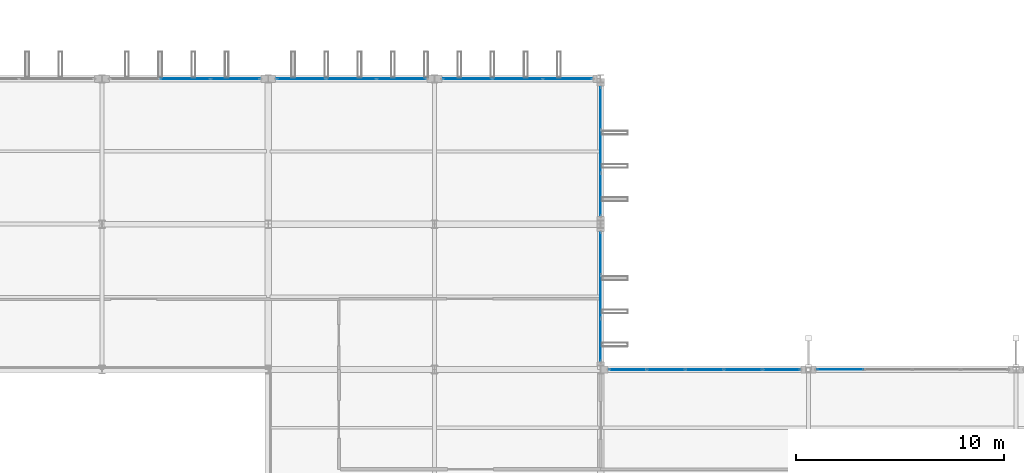
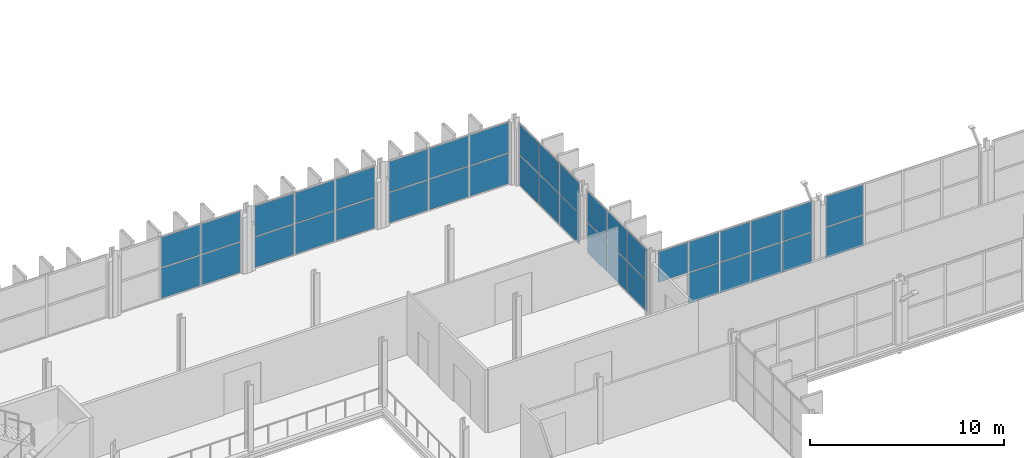
# One storey, part 70 of 101: 39 plates, 7 elements without a shape of their own.
"""IFC4 building model written with IfcOpenShell, lengths in metres."""

from ifc_helpers import new_model, si_unit, direction, frame, origin, origin_2d, place, context, subcontext, project, spatial, rectangle, extrude, material, layer, layer_set, type_object, element, aggregate, save


model = new_model("IFC4")

# Units and contexts
model_context = context("Model", 3, precision=1e-05, world=origin(), true_north=direction((0.0, 1.0)))
body_context = subcontext(model_context, "Body", "Model", "MODEL_VIEW")
ifc_project = project(units=[si_unit("LENGTHUNIT", "METRE"), si_unit("AREAUNIT", "SQUARE_METRE"), si_unit("VOLUMEUNIT", "CUBIC_METRE"), si_unit("PLANEANGLEUNIT", "RADIAN"), si_unit("MASSUNIT", "GRAM", prefix="KILO")], contexts=[model_context])

# Site, building, storey
site_placement = place(None, origin())
site = spatial("IfcSite", under=ifc_project, at=site_placement, CompositionType="ELEMENT")
building_placement = place(site_placement, origin())
building = spatial("IfcBuilding", under=site, at=building_placement, Name="Vekula Escarpment Museum", CompositionType="ELEMENT")
storey_placement = place(building_placement, frame((0.0, 0.0, 18.0)))
storey = spatial("IfcBuildingStorey", under=building, at=storey_placement, Name="L04", CompositionType="ELEMENT", Elevation=18.0)

# Curtain wall, plates
ifc_material_1 = material(Name="Aluminium thermally broken framing", Category="aluminium")
ifc_layer_1 = layer(ifc_material_1, 0.159912109375)
ifc_layer_set_1 = layer_set([ifc_layer_1], Name="Aluminium thermally broken framing")
curtain_wall_type_1 = type_object("IfcCurtainWallType", Name="CW-SYS-02", PredefinedType="NOTDEFINED", material=ifc_layer_set_1)
curtain_wall_1_placement = place(storey_placement, origin())
curtain_wall_1 = element("IfcCurtainWall", 1, at=curtain_wall_1_placement, inside=storey, type_object=curtain_wall_type_1, Name="Curtain Wall CW-L04-152", PredefinedType="NOTDEFINED")
ifc_material_2 = material(Name="Double solar-control low-E glass", Category="glass")
ifc_layer_2 = layer(ifc_material_2, 0.028076171875)
ifc_layer_set_2 = layer_set([ifc_layer_2], Name="Double solar-control low-E glass")
plate_type_1 = type_object("IfcPlateType", Name="CW-PNL-28", PredefinedType="CURTAIN_PANEL", material=ifc_layer_set_2)
plate_1_placement = place(storey_placement, frame((126.0, 77.82177734375, 0.06005859375), z_axis=(0.0, 0.0, 1.0), x_axis=(0.0, 1.0, 0.0)))
plate_1 = element("IfcPlate", 2, at=plate_1_placement, type_object=plate_type_1, Name="CW-02 panel 1.1", PredefinedType="CURTAIN_PANEL", context=body_context, shape_type="SweptSolid", body=[
    extrude(rectangle(XDim=2.00341796875, YDim=0.028076171875, at=origin_2d()), origin(), (0.0, 0.0, 1.0), 1.89990234375),
])
plate_2_placement = place(storey_placement, frame((126.0, 77.82177734375, 2.02001953125), z_axis=(0.0, 0.0, 1.0), x_axis=(0.0, 1.0, 0.0)))
plate_2 = element("IfcPlate", 3, at=plate_2_placement, type_object=plate_type_1, Name="CW-02 panel 1.2", PredefinedType="CURTAIN_PANEL", context=body_context, shape_type="SweptSolid", body=[
    extrude(rectangle(XDim=2.00341796875, YDim=0.028076171875, at=origin_2d()), origin(), (0.0, 0.0, 1.0), 1.89990234375),
])
plate_3_placement = place(storey_placement, frame((126.0, 79.89990234375, 0.06005859375), z_axis=(0.0, 0.0, 1.0), x_axis=(0.0, 1.0, 0.0)))
plate_3 = element("IfcPlate", 4, at=plate_3_placement, type_object=plate_type_1, Name="CW-02 panel 2.1", PredefinedType="CURTAIN_PANEL", context=body_context, shape_type="SweptSolid", body=[
    extrude(rectangle(XDim=2.033447265625, YDim=0.028076171875, at=origin_2d()), origin(), (0.0, 0.0, 1.0), 1.89990234375),
])
plate_4_placement = place(storey_placement, frame((126.0, 79.89990234375, 2.02001953125), z_axis=(0.0, 0.0, 1.0), x_axis=(0.0, 1.0, 0.0)))
plate_4 = element("IfcPlate", 5, at=plate_4_placement, type_object=plate_type_1, Name="CW-02 panel 2.2", PredefinedType="CURTAIN_PANEL", context=body_context, shape_type="SweptSolid", body=[
    extrude(rectangle(XDim=2.033447265625, YDim=0.028076171875, at=origin_2d()), origin(), (0.0, 0.0, 1.0), 1.89990234375),
])
plate_5_placement = place(storey_placement, frame((126.0, 81.978271484375, 0.06005859375), z_axis=(0.0, 0.0, 1.0), x_axis=(0.0, 1.0, 0.0)))
plate_5 = element("IfcPlate", 6, at=plate_5_placement, type_object=plate_type_1, Name="CW-02 panel 3.1", PredefinedType="CURTAIN_PANEL", context=body_context, shape_type="SweptSolid", body=[
    extrude(rectangle(XDim=2.00341796875, YDim=0.028076171875, at=origin_2d()), origin(), (0.0, 0.0, 1.0), 1.89990234375),
])
plate_6_placement = place(storey_placement, frame((126.0, 81.978271484375, 2.02001953125), z_axis=(0.0, 0.0, 1.0), x_axis=(0.0, 1.0, 0.0)))
plate_6 = element("IfcPlate", 7, at=plate_6_placement, type_object=plate_type_1, Name="CW-02 panel 3.2", PredefinedType="CURTAIN_PANEL", context=body_context, shape_type="SweptSolid", body=[
    extrude(rectangle(XDim=2.00341796875, YDim=0.028076171875, at=origin_2d()), origin(), (0.0, 0.0, 1.0), 1.89990234375),
])
aggregate(curtain_wall_1, [plate_1, plate_2, plate_3, plate_4, plate_5, plate_6])

ifc_material_3 = material(Name="Aluminium thermally broken framing", Category="aluminium")
ifc_layer_3 = layer(ifc_material_3, 0.139892578125)
ifc_layer_set_3 = layer_set([ifc_layer_3], Name="Aluminium thermally broken framing")
curtain_wall_type_2 = type_object("IfcCurtainWallType", Name="CW-SYS-06", PredefinedType="NOTDEFINED", material=ifc_layer_set_3)
curtain_wall_2_placement = place(storey_placement, origin())
curtain_wall_2 = element("IfcCurtainWall", 8, at=curtain_wall_2_placement, inside=storey, type_object=curtain_wall_type_2, Name="Curtain Wall CW-L04-156", PredefinedType="NOTDEFINED")
plate_7_placement = place(storey_placement, frame((108.41162109375, 90.39990234375, 0.06005859375), z_axis=(0.0, 0.0, 1.0), x_axis=(-1.0, 0.0, 0.0)))
plate_7 = element("IfcPlate", 9, at=plate_7_placement, type_object=plate_type_1, Name="CW-06 panel 1.1", PredefinedType="CURTAIN_PANEL", context=body_context, shape_type="SweptSolid", body=[
    extrude(rectangle(XDim=2.336669921875, YDim=0.028076171875, at=origin_2d()), origin(), (0.0, 0.0, 1.0), 1.89990234375),
])
plate_8_placement = place(storey_placement, frame((108.41162109375, 90.39990234375, 2.02001953125), z_axis=(0.0, 0.0, 1.0), x_axis=(-1.0, 0.0, 0.0)))
plate_8 = element("IfcPlate", 10, at=plate_8_placement, type_object=plate_type_1, Name="CW-06 panel 1.2", PredefinedType="CURTAIN_PANEL", context=body_context, shape_type="SweptSolid", body=[
    extrude(rectangle(XDim=2.336669921875, YDim=0.028076171875, at=origin_2d()), origin(), (0.0, 0.0, 1.0), 1.89990234375),
])
plate_9_placement = place(storey_placement, frame((106.0, 90.39990234375, 0.06005859375), z_axis=(0.0, 0.0, 1.0), x_axis=(-1.0, 0.0, 0.0)))
plate_9 = element("IfcPlate", 11, at=plate_9_placement, type_object=plate_type_1, Name="CW-06 panel 2.1", PredefinedType="CURTAIN_PANEL", context=body_context, shape_type="SweptSolid", body=[
    extrude(rectangle(XDim=2.36669921875, YDim=0.028076171875, at=origin_2d()), origin(), (0.0, 0.0, 1.0), 1.89990234375),
])
plate_10_placement = place(storey_placement, frame((106.0, 90.39990234375, 2.02001953125), z_axis=(0.0, 0.0, 1.0), x_axis=(-1.0, 0.0, 0.0)))
plate_10 = element("IfcPlate", 12, at=plate_10_placement, type_object=plate_type_1, Name="CW-06 panel 2.2", PredefinedType="CURTAIN_PANEL", context=body_context, shape_type="SweptSolid", body=[
    extrude(rectangle(XDim=2.36669921875, YDim=0.028076171875, at=origin_2d()), origin(), (0.0, 0.0, 1.0), 1.89990234375),
])
aggregate(curtain_wall_2, [plate_7, plate_8, plate_9, plate_10])

ifc_material_4 = material(Name="Aluminium thermally broken framing", Category="aluminium")
ifc_layer_4 = layer(ifc_material_4, 0.199951171875)
ifc_layer_set_4 = layer_set([ifc_layer_4], Name="Aluminium thermally broken framing")
curtain_wall_type_3 = type_object("IfcCurtainWallType", Name="CW-SYS-03", PredefinedType="NOTDEFINED", material=ifc_layer_set_4)
curtain_wall_3_placement = place(storey_placement, origin())
curtain_wall_3 = element("IfcCurtainWall", 13, at=curtain_wall_3_placement, inside=storey, type_object=curtain_wall_type_3, Name="Curtain Wall CW-L04-153", PredefinedType="NOTDEFINED")
ifc_material_5 = material(Name="Acoustic laminated double low-E glass", Category="glass")
ifc_layer_5 = layer(ifc_material_5, 0.031982421875)
ifc_layer_set_5 = layer_set([ifc_layer_5], Name="Acoustic laminated double low-E glass")
plate_type_2 = type_object("IfcPlateType", Name="CW-PNL-32", PredefinedType="CURTAIN_PANEL", material=ifc_layer_set_5)
plate_11_placement = place(storey_placement, frame((126.0, 84.82177734375, 0.06005859375), z_axis=(0.0, 0.0, 1.0), x_axis=(0.0, 1.0, 0.0)))
plate_11 = element("IfcPlate", 14, at=plate_11_placement, type_object=plate_type_2, Name="CW-03 panel 1.1", PredefinedType="CURTAIN_PANEL", context=body_context, shape_type="SweptSolid", body=[
    extrude(rectangle(XDim=2.00341796875, YDim=0.031982421875, at=origin_2d()), origin(), (0.0, 0.0, 1.0), 1.89990234375),
])
plate_12_placement = place(storey_placement, frame((126.0, 84.82177734375, 2.02001953125), z_axis=(0.0, 0.0, 1.0), x_axis=(0.0, 1.0, 0.0)))
plate_12 = element("IfcPlate", 15, at=plate_12_placement, type_object=plate_type_2, Name="CW-03 panel 1.2", PredefinedType="CURTAIN_PANEL", context=body_context, shape_type="SweptSolid", body=[
    extrude(rectangle(XDim=2.00341796875, YDim=0.031982421875, at=origin_2d()), origin(), (0.0, 0.0, 1.0), 1.89990234375),
])
plate_13_placement = place(storey_placement, frame((126.0, 86.89990234375, 0.06005859375), z_axis=(0.0, 0.0, 1.0), x_axis=(0.0, 1.0, 0.0)))
plate_13 = element("IfcPlate", 16, at=plate_13_placement, type_object=plate_type_2, Name="CW-03 panel 2.1", PredefinedType="CURTAIN_PANEL", context=body_context, shape_type="SweptSolid", body=[
    extrude(rectangle(XDim=2.033447265625, YDim=0.031982421875, at=origin_2d()), origin(), (0.0, 0.0, 1.0), 1.89990234375),
])
plate_14_placement = place(storey_placement, frame((126.0, 86.89990234375, 2.02001953125), z_axis=(0.0, 0.0, 1.0), x_axis=(0.0, 1.0, 0.0)))
plate_14 = element("IfcPlate", 17, at=plate_14_placement, type_object=plate_type_2, Name="CW-03 panel 2.2", PredefinedType="CURTAIN_PANEL", context=body_context, shape_type="SweptSolid", body=[
    extrude(rectangle(XDim=2.033447265625, YDim=0.031982421875, at=origin_2d()), origin(), (0.0, 0.0, 1.0), 1.89990234375),
])
plate_15_placement = place(storey_placement, frame((126.0, 88.978271484375, 0.06005859375), z_axis=(0.0, 0.0, 1.0), x_axis=(0.0, 1.0, 0.0)))
plate_15 = element("IfcPlate", 18, at=plate_15_placement, type_object=plate_type_2, Name="CW-03 panel 3.1", PredefinedType="CURTAIN_PANEL", context=body_context, shape_type="SweptSolid", body=[
    extrude(rectangle(XDim=2.00341796875, YDim=0.031982421875, at=origin_2d()), origin(), (0.0, 0.0, 1.0), 1.89990234375),
])
plate_16_placement = place(storey_placement, frame((126.0, 88.978271484375, 2.02001953125), z_axis=(0.0, 0.0, 1.0), x_axis=(0.0, 1.0, 0.0)))
plate_16 = element("IfcPlate", 19, at=plate_16_placement, type_object=plate_type_2, Name="CW-03 panel 3.2", PredefinedType="CURTAIN_PANEL", context=body_context, shape_type="SweptSolid", body=[
    extrude(rectangle(XDim=2.00341796875, YDim=0.031982421875, at=origin_2d()), origin(), (0.0, 0.0, 1.0), 1.89990234375),
])
aggregate(curtain_wall_3, [plate_11, plate_12, plate_13, plate_14, plate_15, plate_16])

ifc_material_6 = material(Name="Aluminium thermally broken framing", Category="aluminium")
ifc_layer_6 = layer(ifc_material_6, 0.169921875)
ifc_layer_set_6 = layer_set([ifc_layer_6], Name="Aluminium thermally broken framing")
curtain_wall_type_4 = type_object("IfcCurtainWallType", Name="CW-SYS-10", PredefinedType="NOTDEFINED", material=ifc_layer_set_6)
curtain_wall_4_placement = place(storey_placement, origin())
curtain_wall_4 = element("IfcCurtainWall", 20, at=curtain_wall_4_placement, inside=storey, type_object=curtain_wall_type_4, Name="Curtain Wall CW-L04-150", PredefinedType="NOTDEFINED")
ifc_material_7 = material(Name="Triple UV-filtered museum gallery glass", Category="glass")
ifc_layer_7 = layer(ifc_material_7, 0.035888671875)
ifc_layer_set_7 = layer_set([ifc_layer_7], Name="Triple UV-filtered museum gallery glass")
plate_type_3 = type_object("IfcPlateType", Name="CW-PNL-36", PredefinedType="CURTAIN_PANEL", material=ifc_layer_set_7)
plate_17_placement = place(storey_placement, frame((137.534912109375, 76.39990234375, 0.06005859375), z_axis=(0.0, 0.0, 1.0), x_axis=(-1.0, 0.0, 0.0)))
plate_17 = element("IfcPlate", 21, at=plate_17_placement, type_object=plate_type_3, Name="CW-10 panel 4.1", PredefinedType="CURTAIN_PANEL", context=body_context, shape_type="SweptSolid", body=[
    extrude(rectangle(XDim=2.22998046875, YDim=0.035888671875, at=origin_2d()), origin(), (0.0, 0.0, 1.0), 1.89990234375),
])
plate_18_placement = place(storey_placement, frame((137.534912109375, 76.39990234375, 2.02001953125), z_axis=(0.0, 0.0, 1.0), x_axis=(-1.0, 0.0, 0.0)))
plate_18 = element("IfcPlate", 22, at=plate_18_placement, type_object=plate_type_3, Name="CW-10 panel 4.2", PredefinedType="CURTAIN_PANEL", context=body_context, shape_type="SweptSolid", body=[
    extrude(rectangle(XDim=2.22998046875, YDim=0.035888671875, at=origin_2d()), origin(), (0.0, 0.0, 1.0), 1.89990234375),
])
aggregate(curtain_wall_4, [plate_17, plate_18])

ifc_material_8 = material(Name="Aluminium thermally broken framing", Category="aluminium")
ifc_layer_8 = layer(ifc_material_8, 0.199951171875)
ifc_layer_set_8 = layer_set([ifc_layer_8], Name="Aluminium thermally broken framing")
curtain_wall_type_5 = type_object("IfcCurtainWallType", Name="CW-SYS-04", PredefinedType="NOTDEFINED", material=ifc_layer_set_8)
curtain_wall_5_placement = place(storey_placement, origin())
curtain_wall_5 = element("IfcCurtainWall", 23, at=curtain_wall_5_placement, inside=storey, type_object=curtain_wall_type_5, Name="Curtain Wall CW-L04-154", PredefinedType="NOTDEFINED")
plate_19_placement = place(storey_placement, frame((124.41162109375, 90.39990234375, 0.06005859375), z_axis=(0.0, 0.0, 1.0), x_axis=(-1.0, 0.0, 0.0)))
plate_19 = element("IfcPlate", 24, at=plate_19_placement, type_object=plate_type_3, Name="CW-04 panel 1.1", PredefinedType="CURTAIN_PANEL", context=body_context, shape_type="SweptSolid", body=[
    extrude(rectangle(XDim=2.336669921875, YDim=0.035888671875, at=origin_2d()), origin(), (0.0, 0.0, 1.0), 1.89990234375),
])
plate_20_placement = place(storey_placement, frame((124.41162109375, 90.39990234375, 2.02001953125), z_axis=(0.0, 0.0, 1.0), x_axis=(-1.0, 0.0, 0.0)))
plate_20 = element("IfcPlate", 25, at=plate_20_placement, type_object=plate_type_3, Name="CW-04 panel 1.2", PredefinedType="CURTAIN_PANEL", context=body_context, shape_type="SweptSolid", body=[
    extrude(rectangle(XDim=2.336669921875, YDim=0.035888671875, at=origin_2d()), origin(), (0.0, 0.0, 1.0), 1.89990234375),
])
plate_21_placement = place(storey_placement, frame((122.0, 90.39990234375, 0.06005859375), z_axis=(0.0, 0.0, 1.0), x_axis=(-1.0, 0.0, 0.0)))
plate_21 = element("IfcPlate", 26, at=plate_21_placement, type_object=plate_type_3, Name="CW-04 panel 2.1", PredefinedType="CURTAIN_PANEL", context=body_context, shape_type="SweptSolid", body=[
    extrude(rectangle(XDim=2.36669921875, YDim=0.035888671875, at=origin_2d()), origin(), (0.0, 0.0, 1.0), 1.89990234375),
])
plate_22_placement = place(storey_placement, frame((122.0, 90.39990234375, 2.02001953125), z_axis=(0.0, 0.0, 1.0), x_axis=(-1.0, 0.0, 0.0)))
plate_22 = element("IfcPlate", 27, at=plate_22_placement, type_object=plate_type_3, Name="CW-04 panel 2.2", PredefinedType="CURTAIN_PANEL", context=body_context, shape_type="SweptSolid", body=[
    extrude(rectangle(XDim=2.36669921875, YDim=0.035888671875, at=origin_2d()), origin(), (0.0, 0.0, 1.0), 1.89990234375),
])
plate_23_placement = place(storey_placement, frame((119.58837890625, 90.39990234375, 0.06005859375), z_axis=(0.0, 0.0, 1.0), x_axis=(-1.0, 0.0, 0.0)))
plate_23 = element("IfcPlate", 28, at=plate_23_placement, type_object=plate_type_3, Name="CW-04 panel 3.1", PredefinedType="CURTAIN_PANEL", context=body_context, shape_type="SweptSolid", body=[
    extrude(rectangle(XDim=2.336669921875, YDim=0.035888671875, at=origin_2d()), origin(), (0.0, 0.0, 1.0), 1.89990234375),
])
plate_24_placement = place(storey_placement, frame((119.58837890625, 90.39990234375, 2.02001953125), z_axis=(0.0, 0.0, 1.0), x_axis=(-1.0, 0.0, 0.0)))
plate_24 = element("IfcPlate", 29, at=plate_24_placement, type_object=plate_type_3, Name="CW-04 panel 3.2", PredefinedType="CURTAIN_PANEL", context=body_context, shape_type="SweptSolid", body=[
    extrude(rectangle(XDim=2.336669921875, YDim=0.035888671875, at=origin_2d()), origin(), (0.0, 0.0, 1.0), 1.89990234375),
])
aggregate(curtain_wall_5, [plate_19, plate_20, plate_21, plate_22, plate_23, plate_24])

ifc_material_9 = material(Name="Aluminium thermally broken framing", Category="aluminium")
ifc_layer_9 = layer(ifc_material_9, 0.159912109375)
ifc_layer_set_9 = layer_set([ifc_layer_9], Name="Aluminium thermally broken framing")
curtain_wall_type_6 = type_object("IfcCurtainWallType", Name="CW-SYS-01", PredefinedType="NOTDEFINED", material=ifc_layer_set_9)
curtain_wall_6_placement = place(storey_placement, origin())
curtain_wall_6 = element("IfcCurtainWall", 30, at=curtain_wall_6_placement, inside=storey, type_object=curtain_wall_type_6, Name="Curtain Wall CW-L04-151", PredefinedType="NOTDEFINED")
ifc_material_10 = material(Name="Insulated bronze spandrel glass panel", Category="glass")
ifc_layer_10 = layer(ifc_material_10, 0.0400390625)
ifc_layer_set_10 = layer_set([ifc_layer_10], Name="Insulated bronze spandrel glass panel")
plate_type_4 = type_object("IfcPlateType", Name="CW-PNL-40", PredefinedType="CURTAIN_PANEL", material=ifc_layer_set_10)
plate_25_placement = place(storey_placement, frame((134.697021484375, 76.39990234375, 0.06005859375), z_axis=(0.0, 0.0, 1.0), x_axis=(-1.0, 0.0, 0.0)))
plate_25 = element("IfcPlate", 31, at=plate_25_placement, type_object=plate_type_4, Name="CW-01 panel 1.1", PredefinedType="CURTAIN_PANEL", context=body_context, shape_type="SweptSolid", body=[
    extrude(rectangle(XDim=1.76611328125, YDim=0.0400390625, at=origin_2d()), origin(), (0.0, 0.0, 1.0), 1.89990234375),
])
plate_26_placement = place(storey_placement, frame((134.697021484375, 76.39990234375, 2.02001953125), z_axis=(0.0, 0.0, 1.0), x_axis=(-1.0, 0.0, 0.0)))
plate_26 = element("IfcPlate", 32, at=plate_26_placement, type_object=plate_type_4, Name="CW-01 panel 1.2", PredefinedType="CURTAIN_PANEL", context=body_context, shape_type="SweptSolid", body=[
    extrude(rectangle(XDim=1.76611328125, YDim=0.0400390625, at=origin_2d()), origin(), (0.0, 0.0, 1.0), 1.89990234375),
])
plate_27_placement = place(storey_placement, frame((132.85595703125, 76.39990234375, 0.06005859375), z_axis=(0.0, 0.0, 1.0), x_axis=(-1.0, 0.0, 0.0)))
plate_27 = element("IfcPlate", 33, at=plate_27_placement, type_object=plate_type_4, Name="CW-01 panel 2.1", PredefinedType="CURTAIN_PANEL", context=body_context, shape_type="SweptSolid", body=[
    extrude(rectangle(XDim=1.7958984375, YDim=0.0400390625, at=origin_2d()), origin(), (0.0, 0.0, 1.0), 1.89990234375),
])
plate_28_placement = place(storey_placement, frame((132.85595703125, 76.39990234375, 2.02001953125), z_axis=(0.0, 0.0, 1.0), x_axis=(-1.0, 0.0, 0.0)))
plate_28 = element("IfcPlate", 34, at=plate_28_placement, type_object=plate_type_4, Name="CW-01 panel 2.2", PredefinedType="CURTAIN_PANEL", context=body_context, shape_type="SweptSolid", body=[
    extrude(rectangle(XDim=1.7958984375, YDim=0.0400390625, at=origin_2d()), origin(), (0.0, 0.0, 1.0), 1.89990234375),
])
plate_29_placement = place(storey_placement, frame((131.0, 76.39990234375, 0.06005859375), z_axis=(0.0, 0.0, 1.0), x_axis=(-1.0, 0.0, 0.0)))
plate_29 = element("IfcPlate", 35, at=plate_29_placement, type_object=plate_type_4, Name="CW-01 panel 3.1", PredefinedType="CURTAIN_PANEL", context=body_context, shape_type="SweptSolid", body=[
    extrude(rectangle(XDim=1.7958984375, YDim=0.0400390625, at=origin_2d()), origin(), (0.0, 0.0, 1.0), 1.89990234375),
])
plate_30_placement = place(storey_placement, frame((131.0, 76.39990234375, 2.02001953125), z_axis=(0.0, 0.0, 1.0), x_axis=(-1.0, 0.0, 0.0)))
plate_30 = element("IfcPlate", 36, at=plate_30_placement, type_object=plate_type_4, Name="CW-01 panel 3.2", PredefinedType="CURTAIN_PANEL", context=body_context, shape_type="SweptSolid", body=[
    extrude(rectangle(XDim=1.7958984375, YDim=0.0400390625, at=origin_2d()), origin(), (0.0, 0.0, 1.0), 1.89990234375),
])
plate_31_placement = place(storey_placement, frame((129.14404296875, 76.39990234375, 0.06005859375), z_axis=(0.0, 0.0, 1.0), x_axis=(-1.0, 0.0, 0.0)))
plate_31 = element("IfcPlate", 37, at=plate_31_placement, type_object=plate_type_4, Name="CW-01 panel 4.1", PredefinedType="CURTAIN_PANEL", context=body_context, shape_type="SweptSolid", body=[
    extrude(rectangle(XDim=1.7958984375, YDim=0.0400390625, at=origin_2d()), origin(), (0.0, 0.0, 1.0), 1.89990234375),
])
plate_32_placement = place(storey_placement, frame((129.14404296875, 76.39990234375, 2.02001953125), z_axis=(0.0, 0.0, 1.0), x_axis=(-1.0, 0.0, 0.0)))
plate_32 = element("IfcPlate", 38, at=plate_32_placement, type_object=plate_type_4, Name="CW-01 panel 4.2", PredefinedType="CURTAIN_PANEL", context=body_context, shape_type="SweptSolid", body=[
    extrude(rectangle(XDim=1.7958984375, YDim=0.0400390625, at=origin_2d()), origin(), (0.0, 0.0, 1.0), 1.89990234375),
])
plate_33_placement = place(storey_placement, frame((127.302978515625, 76.39990234375, 2.02001953125), z_axis=(0.0, 0.0, 1.0), x_axis=(-1.0, 0.0, 0.0)))
plate_33 = element("IfcPlate", 39, at=plate_33_placement, type_object=plate_type_4, Name="CW-01 panel 5.2", PredefinedType="CURTAIN_PANEL", context=body_context, shape_type="SweptSolid", body=[
    extrude(rectangle(XDim=1.76611328125, YDim=0.0400390625, at=origin_2d()), origin(), (0.0, 0.0, 1.0), 1.89990234375),
])
aggregate(curtain_wall_6, [plate_25, plate_26, plate_27, plate_28, plate_29, plate_30, plate_31, plate_32, plate_33])

ifc_material_11 = material(Name="Aluminium thermally broken framing", Category="aluminium")
ifc_layer_11 = layer(ifc_material_11, 0.159912109375)
ifc_layer_set_11 = layer_set([ifc_layer_11], Name="Aluminium thermally broken framing")
curtain_wall_type_7 = type_object("IfcCurtainWallType", Name="CW-SYS-05", PredefinedType="NOTDEFINED", material=ifc_layer_set_11)
curtain_wall_7_placement = place(storey_placement, origin())
curtain_wall_7 = element("IfcCurtainWall", 40, at=curtain_wall_7_placement, inside=storey, type_object=curtain_wall_type_7, Name="Curtain Wall CW-L04-155", PredefinedType="NOTDEFINED")
plate_34_placement = place(storey_placement, frame((116.41162109375, 90.39990234375, 0.06005859375), z_axis=(0.0, 0.0, 1.0), x_axis=(-1.0, 0.0, 0.0)))
plate_34 = element("IfcPlate", 41, at=plate_34_placement, type_object=plate_type_4, Name="CW-05 panel 1.1", PredefinedType="CURTAIN_PANEL", context=body_context, shape_type="SweptSolid", body=[
    extrude(rectangle(XDim=2.336669921875, YDim=0.0400390625, at=origin_2d()), origin(), (0.0, 0.0, 1.0), 1.89990234375),
])
plate_35_placement = place(storey_placement, frame((116.41162109375, 90.39990234375, 2.02001953125), z_axis=(0.0, 0.0, 1.0), x_axis=(-1.0, 0.0, 0.0)))
plate_35 = element("IfcPlate", 42, at=plate_35_placement, type_object=plate_type_4, Name="CW-05 panel 1.2", PredefinedType="CURTAIN_PANEL", context=body_context, shape_type="SweptSolid", body=[
    extrude(rectangle(XDim=2.336669921875, YDim=0.0400390625, at=origin_2d()), origin(), (0.0, 0.0, 1.0), 1.89990234375),
])
plate_36_placement = place(storey_placement, frame((114.0, 90.39990234375, 0.06005859375), z_axis=(0.0, 0.0, 1.0), x_axis=(-1.0, 0.0, 0.0)))
plate_36 = element("IfcPlate", 43, at=plate_36_placement, type_object=plate_type_4, Name="CW-05 panel 2.1", PredefinedType="CURTAIN_PANEL", context=body_context, shape_type="SweptSolid", body=[
    extrude(rectangle(XDim=2.36669921875, YDim=0.0400390625, at=origin_2d()), origin(), (0.0, 0.0, 1.0), 1.89990234375),
])
plate_37_placement = place(storey_placement, frame((114.0, 90.39990234375, 2.02001953125), z_axis=(0.0, 0.0, 1.0), x_axis=(-1.0, 0.0, 0.0)))
plate_37 = element("IfcPlate", 44, at=plate_37_placement, type_object=plate_type_4, Name="CW-05 panel 2.2", PredefinedType="CURTAIN_PANEL", context=body_context, shape_type="SweptSolid", body=[
    extrude(rectangle(XDim=2.36669921875, YDim=0.0400390625, at=origin_2d()), origin(), (0.0, 0.0, 1.0), 1.89990234375),
])
plate_38_placement = place(storey_placement, frame((111.58837890625, 90.39990234375, 0.06005859375), z_axis=(0.0, 0.0, 1.0), x_axis=(-1.0, 0.0, 0.0)))
plate_38 = element("IfcPlate", 45, at=plate_38_placement, type_object=plate_type_4, Name="CW-05 panel 3.1", PredefinedType="CURTAIN_PANEL", context=body_context, shape_type="SweptSolid", body=[
    extrude(rectangle(XDim=2.336669921875, YDim=0.0400390625, at=origin_2d()), origin(), (0.0, 0.0, 1.0), 1.89990234375),
])
plate_39_placement = place(storey_placement, frame((111.58837890625, 90.39990234375, 2.02001953125), z_axis=(0.0, 0.0, 1.0), x_axis=(-1.0, 0.0, 0.0)))
plate_39 = element("IfcPlate", 46, at=plate_39_placement, type_object=plate_type_4, Name="CW-05 panel 3.2", PredefinedType="CURTAIN_PANEL", context=body_context, shape_type="SweptSolid", body=[
    extrude(rectangle(XDim=2.336669921875, YDim=0.0400390625, at=origin_2d()), origin(), (0.0, 0.0, 1.0), 1.89990234375),
])
aggregate(curtain_wall_7, [plate_34, plate_35, plate_36, plate_37, plate_38, plate_39])

save(model, "model.ifc")
